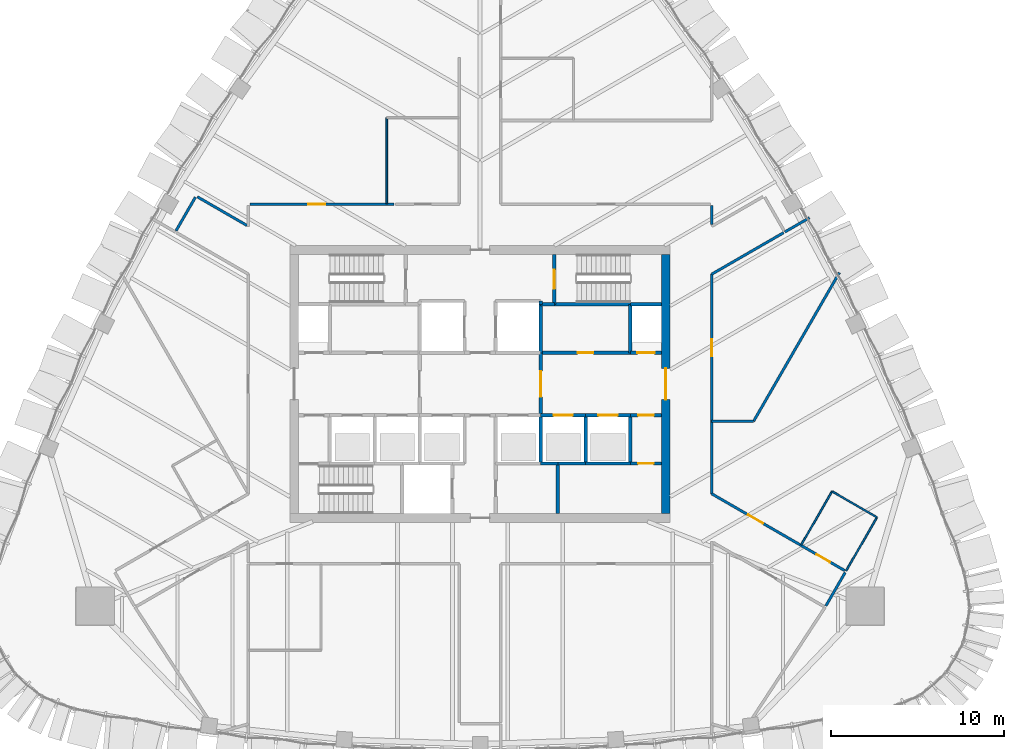
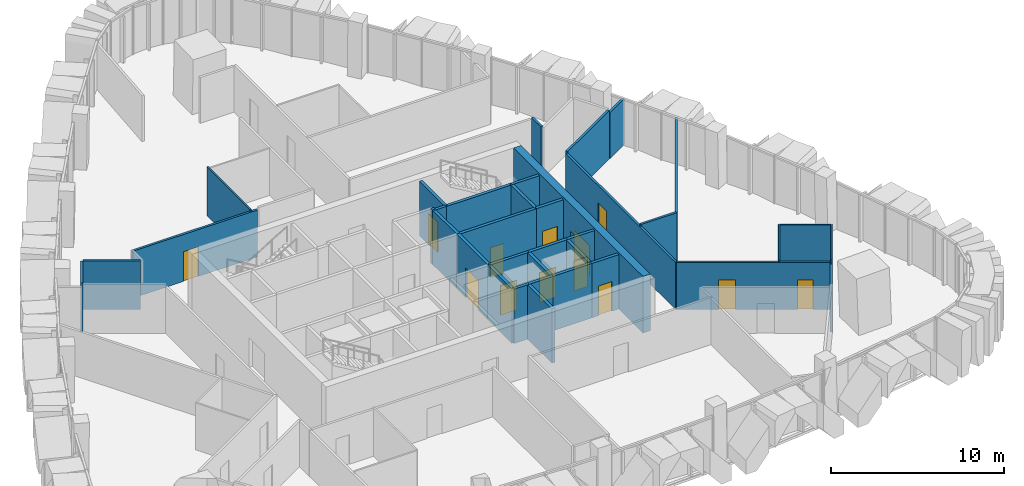
# One storey, part 14 of 19: 37 walls, 13 doors, 13 openings.
"""IFC4 building model written with IfcOpenShell, lengths in metres."""

from ifc_helpers import new_model, si_unit, direction, frame, frame_2d, origin, place, context, subcontext, project, spatial, rectangle, extrude, material, layer, layer_set, type_object, element, fill, save


model = new_model("IFC4")

# Units and contexts
model_context = context("Model", 3, precision=1e-05, world=origin(), true_north=direction((0.0, 1.0)))
body_context = subcontext(model_context, "Body", "Model", "MODEL_VIEW")
ifc_project = project(units=[si_unit("LENGTHUNIT", "METRE"), si_unit("AREAUNIT", "SQUARE_METRE"), si_unit("VOLUMEUNIT", "CUBIC_METRE"), si_unit("PLANEANGLEUNIT", "RADIAN"), si_unit("MASSUNIT", "GRAM", prefix="KILO")], contexts=[model_context])

# Site, building, storey
site_placement = place(None, origin())
site = spatial("IfcSite", under=ifc_project, at=site_placement, CompositionType="ELEMENT")
building_placement = place(site_placement, origin())
building = spatial("IfcBuilding", under=site, at=building_placement, Name="Sierra Prisma Convention Tower", CompositionType="ELEMENT")
storey_placement = place(building_placement, frame((0.0, 0.0, 231.0)))
storey = spatial("IfcBuildingStorey", under=building, at=storey_placement, Name="L51", CompositionType="ELEMENT", Elevation=231.0)

# Walls
ifc_material_1 = material(Name="Gypsum board partition", Category="gypsum")
ifc_layer_1 = layer(ifc_material_1, 0.10009765625)
ifc_layer_set_1 = layer_set([ifc_layer_1], Name="Bathroom partition 100")
wall_type_1 = type_object("IfcWallType", Name="Bathroom partition 100", PredefinedType="PARTITIONING", material=ifc_layer_set_1)
wall_1_placement = place(storey_placement, frame((-5.39990234375, 10.429931640625, 0.0), z_axis=(0.0, 0.0, 1.0), x_axis=(0.0, 1.0, 0.0)))
element("IfcWall", 1, at=wall_1_placement, inside=storey, type_object=wall_type_1, Name="Partition L51 bath 5", PredefinedType="PARTITIONING", context=body_context, shape_type="SweptSolid", body=[
    extrude(rectangle(XDim=4.969970703125, YDim=0.10009765625, at=frame_2d((2.48486328125, 0.0))), origin(), (0.0, 0.0, 1.0), 3.449951171875),
])
wall_2_placement = place(storey_placement, frame((18.577392578125, -9.305419921875, 0.0), z_axis=(0.0, 0.0, 1.0), x_axis=(0.499971082179, 0.866042098853, 0.0)))
element("IfcWall", 2, at=wall_2_placement, inside=storey, type_object=wall_type_1, Name="Partition L51 bath 9", PredefinedType="PARTITIONING", context=body_context, shape_type="SweptSolid", body=[
    extrude(rectangle(XDim=3.570068359375, YDim=0.10009765625, at=frame_2d((1.78515625, 0.0))), origin(), (0.0, 0.0, 1.0), 3.449951171875),
])
wall_3_placement = place(storey_placement, frame((20.3623046875, -6.213623046875, 0.0), z_axis=(0.0, 0.0, 1.0), x_axis=(0.866031096941, -0.499990139034, 0.0)))
element("IfcWall", 3, at=wall_3_placement, inside=storey, type_object=wall_type_1, Name="Partition L51 bath 10", PredefinedType="PARTITIONING", context=body_context, shape_type="SweptSolid", body=[
    extrude(rectangle(XDim=3.0, YDim=0.10009765625, at=frame_2d((1.5, 0.0))), origin(), (0.0, 0.0, 1.0), 3.443115234375),
])
wall_4_placement = place(storey_placement, frame((22.96044921875, -7.713623046875, 0.0), z_axis=(0.0, 0.0, 1.0), x_axis=(-0.500022371132, -0.86601248742, 0.0)))
element("IfcWall", 4, at=wall_4_placement, inside=storey, type_object=wall_type_1, Name="Partition L51 bath 11", PredefinedType="PARTITIONING", context=body_context, shape_type="SweptSolid", body=[
    extrude(rectangle(XDim=3.570068359375, YDim=0.10009765625, at=frame_2d((1.78515625, 0.0))), origin(), (0.0, 0.0, 1.0), 3.449951171875),
])
ifc_material_2 = material(Name="Concrete C30/37", Category="concrete")
ifc_layer_2 = layer(ifc_material_2, 0.199951171875)
ifc_layer_set_2 = layer_set([ifc_layer_2], Name="Core wall RC 200 C30/37")
wall_type_2 = type_object("IfcWallType", Name="Core wall RC 200 C30/37", PredefinedType="SOLIDWALL", material=ifc_layer_set_2)
wall_5_placement = place(storey_placement, frame((3.5, 4.60009765625, 0.0), z_axis=(0.0, 0.0, 1.0), x_axis=(0.0, 1.0, 0.0)))
element("IfcWall", 5, at=wall_5_placement, inside=storey, type_object=wall_type_2, Name="Core wall L51 37", PredefinedType="SOLIDWALL", context=body_context, shape_type="SweptSolid", body=[
    extrude(rectangle(XDim=0.199951171875, YDim=0.199951171875, at=frame_2d((0.10009765625, 0.0))), origin(), (0.0, 0.0, 1.0), 3.85009765625),
])
wall_6_placement = place(storey_placement, frame((4.5, -4.60009765625, 0.0), z_axis=(0.0, 0.0, 1.0), x_axis=(-1.0, 0.0, 0.0)))
element("IfcWall", 6, at=wall_6_placement, inside=storey, type_object=wall_type_2, Name="Core wall L51 40", PredefinedType="SOLIDWALL", context=body_context, shape_type="SweptSolid", body=[
    extrude(rectangle(XDim=1.0, YDim=0.199951171875, at=frame_2d((0.5, 0.0))), origin(), (0.0, 0.0, 1.0), 3.85009765625),
])
wall_7_placement = place(storey_placement, frame((3.5, -4.60009765625, 0.0), z_axis=(0.0, 0.0, 1.0), x_axis=(0.0, 1.0, 0.0)))
element("IfcWall", 7, at=wall_7_placement, inside=storey, type_object=wall_type_2, Name="Core wall L51 41", PredefinedType="SOLIDWALL", context=body_context, shape_type="SweptSolid", body=[
    extrude(rectangle(XDim=2.800048828125, YDim=0.199951171875, at=frame_2d((1.39990234375, 0.0))), origin(), (0.0, 0.0, 1.0), 3.85009765625),
])

# Wall, opening, door
wall_8_placement = place(storey_placement, frame((3.5, -1.800048828125, 0.0), z_axis=(0.0, 0.0, 1.0), x_axis=(1.0, 0.0, 0.0)))
wall_8 = element("IfcWall", 8, at=wall_8_placement, inside=storey, type_object=wall_type_2, Name="Core wall L51 42", PredefinedType="SOLIDWALL", context=body_context, shape_type="SweptSolid", body=[
    extrude(rectangle(XDim=2.60009765625, YDim=0.199951171875, at=frame_2d((1.300048828125, 0.0))), origin(), (0.0, 0.0, 1.0), 3.85009765625),
])
opening_1_placement = place(wall_8_placement, frame((0.75, 0.0, 0.0)))
opening_1 = element("IfcOpeningElement", 9, at=opening_1_placement, cuts=wall_8, Name="Opening L51-D005", PredefinedType="OPENING", context=body_context, shape_type="SweptSolid", body=[
    extrude(rectangle(XDim=1.10009765625, YDim=2.10009765625, at=frame_2d((0.550048828125, 1.050048828125))), frame((0.0, 0.10009765625, 0.0), z_axis=(0.0, -1.0, 0.0), x_axis=(1.0, 0.0, 0.0)), (0.0, 0.0, 1.0), 0.199951171875),
])
ifc_material_3 = material(Name="Steel fire door leaf", Category="steel")
door_type_1 = type_object("IfcDoorType", Name="Door 1100x2100 EI 90 sliding lift landing", OperationType="SLIDING_TO_LEFT", PredefinedType="DOOR", material=ifc_material_3)
door_1_placement = place(opening_1_placement, origin())
door_1 = element("IfcDoor", 10, at=door_1_placement, inside=storey, type_object=door_type_1, Name="Door L51 21", OperationType="SLIDING_TO_RIGHT", OverallHeight=2.10009765625, OverallWidth=1.10009765625, PredefinedType="DOOR", context=body_context, shape_type="SweptSolid", body=[
    extrude(rectangle(XDim=1.10009765625, YDim=2.10009765625, at=frame_2d((0.550048828125, 1.050048828125))), frame((0.0, 0.02490234375, 0.0), z_axis=(0.0, -1.0, 0.0), x_axis=(1.0, 0.0, 0.0)), (0.0, 0.0, 1.0), 0.050048828125),
])
fill(opening_1, door_1)

wall_9_placement = place(storey_placement, frame((3.5, -1.800048828125, 0.0), z_axis=(0.0, 0.0, 1.0), x_axis=(0.0, 1.0, 0.0)))
wall_9 = element("IfcWall", 11, at=wall_9_placement, inside=storey, type_object=wall_type_2, Name="Core wall L51 43", PredefinedType="SOLIDWALL", context=body_context, shape_type="SweptSolid", body=[
    extrude(rectangle(XDim=3.60009765625, YDim=0.199951171875, at=frame_2d((1.800048828125, 0.0))), origin(), (0.0, 0.0, 1.0), 3.85009765625),
])
opening_2_placement = place(wall_9_placement, frame((1.050048828125, 0.0, 0.0)))
opening_2 = element("IfcOpeningElement", 12, at=opening_2_placement, cuts=wall_9, Name="Opening L51-D011", PredefinedType="OPENING", context=body_context, shape_type="SweptSolid", body=[
    extrude(rectangle(XDim=1.5, YDim=2.10009765625, at=frame_2d((0.75, 1.050048828125))), frame((0.0, 0.10009765625, 0.0), z_axis=(0.0, -1.0, 0.0), x_axis=(1.0, 0.0, 0.0)), (0.0, 0.0, 1.0), 0.199951171875),
])
ifc_material_4 = material(Name="Steel fire door leaf", Category="steel")
door_type_2 = type_object("IfcDoorType", Name="Door 1500x2100 FD30S", OperationType="DOUBLE_DOOR_SINGLE_SWING", PredefinedType="DOOR", material=ifc_material_4)
door_2_placement = place(opening_2_placement, origin())
door_2 = element("IfcDoor", 13, at=door_2_placement, inside=storey, type_object=door_type_2, Name="Door L51 27", OperationType="DOUBLE_DOOR_SINGLE_SWING", OverallHeight=2.10009765625, OverallWidth=1.5, PredefinedType="DOOR", context=body_context, shape_type="SweptSolid", body=[
    extrude(rectangle(XDim=1.5, YDim=2.10009765625, at=frame_2d((0.75, 1.050048828125))), frame((0.0, 0.02490234375, 0.0), z_axis=(0.0, -1.0, 0.0), x_axis=(1.0, 0.0, 0.0)), (0.0, 0.0, 1.0), 0.050048828125),
])
fill(opening_2, door_2)

wall_10_placement = place(storey_placement, frame((3.5, 1.800048828125, 0.0), z_axis=(0.0, 0.0, 1.0), x_axis=(1.0, 0.0, 0.0)))
wall_10 = element("IfcWall", 14, at=wall_10_placement, inside=storey, type_object=wall_type_2, Name="Core wall L51 44", PredefinedType="SOLIDWALL", context=body_context, shape_type="SweptSolid", body=[
    extrude(rectangle(XDim=5.199951171875, YDim=0.199951171875, at=frame_2d((2.60009765625, 0.0))), origin(), (0.0, 0.0, 1.0), 3.85009765625),
])
opening_3_placement = place(wall_10_placement, frame((2.14990234375, 0.0, 0.0)))
opening_3 = element("IfcOpeningElement", 15, at=opening_3_placement, cuts=wall_10, Name="Opening L51-D020", PredefinedType="OPENING", context=body_context, shape_type="SweptSolid", body=[
    extrude(rectangle(XDim=0.89990234375, YDim=2.10009765625, at=frame_2d((0.449951171875, 1.050048828125))), frame((0.0, 0.10009765625, 0.0), z_axis=(0.0, -1.0, 0.0), x_axis=(1.0, 0.0, 0.0)), (0.0, 0.0, 1.0), 0.199951171875),
])
ifc_material_5 = material(Name="Steel fire door leaf", Category="steel")
door_type_3 = type_object("IfcDoorType", Name="Door 900x2100 FD30S", OperationType="SINGLE_SWING_LEFT", PredefinedType="DOOR", material=ifc_material_5)
door_3_placement = place(opening_3_placement, origin())
door_3 = element("IfcDoor", 16, at=door_3_placement, inside=storey, type_object=door_type_3, Name="Door L51 36", OperationType="SINGLE_SWING_RIGHT", OverallHeight=2.10009765625, OverallWidth=0.89990234375, PredefinedType="DOOR", context=body_context, shape_type="SweptSolid", body=[
    extrude(rectangle(XDim=0.89990234375, YDim=2.10009765625, at=frame_2d((0.449951171875, 1.050048828125))), frame((0.0, 0.02490234375, 0.0), z_axis=(0.0, -1.0, 0.0), x_axis=(1.0, 0.0, 0.0)), (0.0, 0.0, 1.0), 0.050048828125),
])
fill(opening_3, door_3)

# Walls
wall_11_placement = place(storey_placement, frame((3.5, 4.60009765625, 0.0), z_axis=(0.0, 0.0, 1.0), x_axis=(0.0, -1.0, 0.0)))
element("IfcWall", 17, at=wall_11_placement, inside=storey, type_object=wall_type_2, Name="Core wall L51 45", PredefinedType="SOLIDWALL", context=body_context, shape_type="SweptSolid", body=[
    extrude(rectangle(XDim=2.800048828125, YDim=0.199951171875, at=frame_2d((1.39990234375, 0.0))), origin(), (0.0, 0.0, 1.0), 3.85009765625),
])
wall_12_placement = place(storey_placement, frame((4.300048828125, 4.60009765625, 0.0), z_axis=(0.0, 0.0, 1.0), x_axis=(-1.0, 0.0, 0.0)))
element("IfcWall", 18, at=wall_12_placement, inside=storey, type_object=wall_type_2, Name="Core wall L51 46", PredefinedType="SOLIDWALL", context=body_context, shape_type="SweptSolid", body=[
    extrude(rectangle(XDim=0.800048828125, YDim=0.199951171875, at=frame_2d((0.39990234375, 0.0))), origin(), (0.0, 0.0, 1.0), 3.85009765625),
])
wall_13_placement = place(storey_placement, frame((8.699951171875, 4.60009765625, 0.0), z_axis=(0.0, 0.0, 1.0), x_axis=(-1.0, 0.0, 0.0)))
element("IfcWall", 19, at=wall_13_placement, inside=storey, type_object=wall_type_2, Name="Core wall L51 47", PredefinedType="SOLIDWALL", context=body_context, shape_type="SweptSolid", body=[
    extrude(rectangle(XDim=4.39990234375, YDim=0.199951171875, at=frame_2d((2.199951171875, 0.0))), origin(), (0.0, 0.0, 1.0), 3.85009765625),
])

# Wall, opening, door
wall_14_placement = place(storey_placement, frame((4.300048828125, 7.5, 0.0), z_axis=(0.0, 0.0, 1.0), x_axis=(0.0, -1.0, 0.0)))
wall_14 = element("IfcWall", 20, at=wall_14_placement, inside=storey, type_object=wall_type_2, Name="Core wall L51 48", PredefinedType="SOLIDWALL", context=body_context, shape_type="SweptSolid", body=[
    extrude(rectangle(XDim=2.89990234375, YDim=0.199951171875, at=frame_2d((1.449951171875, 0.0))), origin(), (0.0, 0.0, 1.0), 3.85009765625),
])
opening_4_placement = place(wall_14_placement, frame((0.89990234375, 0.0, 0.0)))
opening_4 = element("IfcOpeningElement", 21, at=opening_4_placement, cuts=wall_14, Name="Opening L51-D019", PredefinedType="OPENING", context=body_context, shape_type="SweptSolid", body=[
    extrude(rectangle(XDim=1.10009765625, YDim=2.10009765625, at=frame_2d((0.550048828125, 1.050048828125))), frame((0.0, 0.10009765625, 0.0), z_axis=(0.0, -1.0, 0.0), x_axis=(1.0, 0.0, 0.0)), (0.0, 0.0, 1.0), 0.199951171875),
])
ifc_material_6 = material(Name="Steel fire door leaf", Category="steel")
door_type_4 = type_object("IfcDoorType", Name="Door 1100x2100 FD90S", OperationType="SINGLE_SWING_LEFT", PredefinedType="DOOR", material=ifc_material_6)
door_4_placement = place(opening_4_placement, origin())
door_4 = element("IfcDoor", 22, at=door_4_placement, inside=storey, type_object=door_type_4, Name="Door L51 35", OperationType="SINGLE_SWING_RIGHT", OverallHeight=2.10009765625, OverallWidth=1.10009765625, PredefinedType="DOOR", context=body_context, shape_type="SweptSolid", body=[
    extrude(rectangle(XDim=1.10009765625, YDim=2.10009765625, at=frame_2d((0.550048828125, 1.050048828125))), frame((0.0, 0.02490234375, 0.0), z_axis=(0.0, -1.0, 0.0), x_axis=(1.0, 0.0, 0.0)), (0.0, 0.0, 1.0), 0.050048828125),
])
fill(opening_4, door_4)

# Walls
wall_15_placement = place(storey_placement, frame((4.5, -4.60009765625, 0.0), z_axis=(0.0, 0.0, 1.0), x_axis=(0.0, -1.0, 0.0)))
element("IfcWall", 23, at=wall_15_placement, inside=storey, type_object=wall_type_2, Name="Core wall L51 49", PredefinedType="SOLIDWALL", context=body_context, shape_type="SweptSolid", body=[
    extrude(rectangle(XDim=2.89990234375, YDim=0.199951171875, at=frame_2d((1.449951171875, 0.0))), origin(), (0.0, 0.0, 1.0), 3.85009765625),
])
wall_16_placement = place(storey_placement, frame((6.10009765625, -4.60009765625, 0.0), z_axis=(0.0, 0.0, 1.0), x_axis=(-1.0, 0.0, 0.0)))
element("IfcWall", 24, at=wall_16_placement, inside=storey, type_object=wall_type_2, Name="Core wall L51 50", PredefinedType="SOLIDWALL", context=body_context, shape_type="SweptSolid", body=[
    extrude(rectangle(XDim=1.60009765625, YDim=0.199951171875, at=frame_2d((0.800048828125, 0.0))), origin(), (0.0, 0.0, 1.0), 3.85009765625),
])
wall_17_placement = place(storey_placement, frame((8.699951171875, -4.60009765625, 0.0), z_axis=(0.0, 0.0, 1.0), x_axis=(-1.0, 0.0, 0.0)))
element("IfcWall", 25, at=wall_17_placement, inside=storey, type_object=wall_type_2, Name="Core wall L51 51", PredefinedType="SOLIDWALL", context=body_context, shape_type="SweptSolid", body=[
    extrude(rectangle(XDim=2.599853515625, YDim=0.199951171875, at=frame_2d((1.2998046875, 0.0))), origin(), (0.0, 0.0, 1.0), 3.85009765625),
])
wall_18_placement = place(storey_placement, frame((6.10009765625, -4.60009765625, 0.0), z_axis=(0.0, 0.0, 1.0), x_axis=(0.0, 1.0, 0.0)))
element("IfcWall", 26, at=wall_18_placement, inside=storey, type_object=wall_type_2, Name="Core wall L51 52", PredefinedType="SOLIDWALL", context=body_context, shape_type="SweptSolid", body=[
    extrude(rectangle(XDim=2.800048828125, YDim=0.199951171875, at=frame_2d((1.39990234375, 0.0))), origin(), (0.0, 0.0, 1.0), 3.85009765625),
])

# Wall, opening, door
wall_19_placement = place(storey_placement, frame((6.10009765625, -1.800048828125, 0.0), z_axis=(0.0, 0.0, 1.0), x_axis=(1.0, 0.0, 0.0)))
wall_19 = element("IfcWall", 27, at=wall_19_placement, inside=storey, type_object=wall_type_2, Name="Core wall L51 53", PredefinedType="SOLIDWALL", context=body_context, shape_type="SweptSolid", body=[
    extrude(rectangle(XDim=2.599853515625, YDim=0.199951171875, at=frame_2d((1.2998046875, 0.0))), origin(), (0.0, 0.0, 1.0), 3.85009765625),
])
opening_5_placement = place(wall_19_placement, frame((0.75, 0.0, 0.0)))
opening_5 = element("IfcOpeningElement", 28, at=opening_5_placement, cuts=wall_19, Name="Opening L51-D006", PredefinedType="OPENING", context=body_context, shape_type="SweptSolid", body=[
    extrude(rectangle(XDim=1.10009765625, YDim=2.10009765625, at=frame_2d((0.550048828125, 1.050048828125))), frame((0.0, 0.10009765625, 0.0), z_axis=(0.0, -1.0, 0.0), x_axis=(1.0, 0.0, 0.0)), (0.0, 0.0, 1.0), 0.199951171875),
])
door_5_placement = place(opening_5_placement, origin())
door_5 = element("IfcDoor", 29, at=door_5_placement, inside=storey, type_object=door_type_1, Name="Door L51 22", OperationType="SLIDING_TO_LEFT", OverallHeight=2.10009765625, OverallWidth=1.10009765625, PredefinedType="DOOR", context=body_context, shape_type="SweptSolid", body=[
    extrude(rectangle(XDim=1.10009765625, YDim=2.10009765625, at=frame_2d((0.550048828125, 1.050048828125))), frame((0.0, 0.02490234375, 0.0), z_axis=(0.0, -1.0, 0.0), x_axis=(1.0, 0.0, 0.0)), (0.0, 0.0, 1.0), 0.050048828125),
])
fill(opening_5, door_5)

wall_20_placement = place(storey_placement, frame((10.5, -4.60009765625, 0.0), z_axis=(0.0, 0.0, 1.0), x_axis=(-1.0, 0.0, 0.0)))
wall_20 = element("IfcWall", 30, at=wall_20_placement, inside=storey, type_object=wall_type_2, Name="Core wall L51 54", PredefinedType="SOLIDWALL", context=body_context, shape_type="SweptSolid", body=[
    extrude(rectangle(XDim=1.800048828125, YDim=0.199951171875, at=frame_2d((0.89990234375, 0.0))), origin(), (0.0, 0.0, 1.0), 3.85009765625),
])
opening_6_placement = place(wall_20_placement, frame((0.4599609375, 0.0, 0.0)))
opening_6 = element("IfcOpeningElement", 31, at=opening_6_placement, cuts=wall_20, Name="Opening L51-D022", PredefinedType="OPENING", context=body_context, shape_type="SweptSolid", body=[
    extrude(rectangle(XDim=0.89990234375, YDim=2.10009765625, at=frame_2d((0.449951171875, 1.050048828125))), frame((0.0, 0.10009765625, 0.0), z_axis=(0.0, -1.0, 0.0), x_axis=(1.0, 0.0, 0.0)), (0.0, 0.0, 1.0), 0.199951171875),
])
door_6_placement = place(opening_6_placement, origin())
door_6 = element("IfcDoor", 32, at=door_6_placement, inside=storey, type_object=door_type_3, Name="Door L51 38", OperationType="SINGLE_SWING_LEFT", OverallHeight=2.10009765625, OverallWidth=0.89990234375, PredefinedType="DOOR", context=body_context, shape_type="SweptSolid", body=[
    extrude(rectangle(XDim=0.89990234375, YDim=2.10009765625, at=frame_2d((0.449951171875, 1.050048828125))), frame((0.0, 0.02490234375, 0.0), z_axis=(0.0, -1.0, 0.0), x_axis=(1.0, 0.0, 0.0)), (0.0, 0.0, 1.0), 0.050048828125),
])
fill(opening_6, door_6)

# Wall
wall_21_placement = place(storey_placement, frame((8.699951171875, -1.800048828125, 0.0), z_axis=(0.0, 0.0, 1.0), x_axis=(0.0, -1.0, 0.0)))
element("IfcWall", 33, at=wall_21_placement, inside=storey, type_object=wall_type_2, Name="Core wall L51 55", PredefinedType="SOLIDWALL", context=body_context, shape_type="SweptSolid", body=[
    extrude(rectangle(XDim=2.800048828125, YDim=0.199951171875, at=frame_2d((1.39990234375, 0.0))), origin(), (0.0, 0.0, 1.0), 3.85009765625),
])

# Wall, opening, door
wall_22_placement = place(storey_placement, frame((8.699951171875, -1.800048828125, 0.0), z_axis=(0.0, 0.0, 1.0), x_axis=(1.0, 0.0, 0.0)))
wall_22 = element("IfcWall", 34, at=wall_22_placement, inside=storey, type_object=wall_type_2, Name="Core wall L51 56", PredefinedType="SOLIDWALL", context=body_context, shape_type="SweptSolid", body=[
    extrude(rectangle(XDim=1.800048828125, YDim=0.199951171875, at=frame_2d((0.89990234375, 0.0))), origin(), (0.0, 0.0, 1.0), 3.85009765625),
])
opening_7_placement = place(wall_22_placement, frame((0.449951171875, 0.0, 0.0)))
opening_7 = element("IfcOpeningElement", 35, at=opening_7_placement, cuts=wall_22, Name="Opening L51-D023", PredefinedType="OPENING", context=body_context, shape_type="SweptSolid", body=[
    extrude(rectangle(XDim=0.89990234375, YDim=2.10009765625, at=frame_2d((0.449951171875, 1.050048828125))), frame((0.0, 0.10009765625, 0.0), z_axis=(0.0, -1.0, 0.0), x_axis=(1.0, 0.0, 0.0)), (0.0, 0.0, 1.0), 0.199951171875),
])
door_7_placement = place(opening_7_placement, origin())
door_7 = element("IfcDoor", 36, at=door_7_placement, inside=storey, type_object=door_type_3, Name="Door L51 39", OperationType="SINGLE_SWING_LEFT", OverallHeight=2.10009765625, OverallWidth=0.89990234375, PredefinedType="DOOR", context=body_context, shape_type="SweptSolid", body=[
    extrude(rectangle(XDim=0.89990234375, YDim=2.10009765625, at=frame_2d((0.449951171875, 1.050048828125))), frame((0.0, 0.02490234375, 0.0), z_axis=(0.0, -1.0, 0.0), x_axis=(1.0, 0.0, 0.0)), (0.0, 0.0, 1.0), 0.050048828125),
])
fill(opening_7, door_7)

wall_23_placement = place(storey_placement, frame((10.5, 1.800048828125, 0.0), z_axis=(0.0, 0.0, 1.0), x_axis=(-1.0, 0.0, 0.0)))
wall_23 = element("IfcWall", 37, at=wall_23_placement, inside=storey, type_object=wall_type_2, Name="Core wall L51 57", PredefinedType="SOLIDWALL", context=body_context, shape_type="SweptSolid", body=[
    extrude(rectangle(XDim=1.800048828125, YDim=0.199951171875, at=frame_2d((0.89990234375, 0.0))), origin(), (0.0, 0.0, 1.0), 3.85009765625),
])
opening_8_placement = place(wall_23_placement, frame((0.39990234375, 0.0, 0.0)))
opening_8 = element("IfcOpeningElement", 38, at=opening_8_placement, cuts=wall_23, Name="Opening L51-D016", PredefinedType="OPENING", context=body_context, shape_type="SweptSolid", body=[
    extrude(rectangle(XDim=1.0, YDim=2.10009765625, at=frame_2d((0.5, 1.050048828125))), frame((0.0, 0.10009765625, 0.0), z_axis=(0.0, -1.0, 0.0), x_axis=(1.0, 0.0, 0.0)), (0.0, 0.0, 1.0), 0.199951171875),
])
ifc_material_7 = material(Name="Steel fire door leaf", Category="steel")
door_type_5 = type_object("IfcDoorType", Name="Door 1000x2100 FD60S", OperationType="SINGLE_SWING_LEFT", PredefinedType="DOOR", material=ifc_material_7)
door_8_placement = place(opening_8_placement, origin())
door_8 = element("IfcDoor", 39, at=door_8_placement, inside=storey, type_object=door_type_5, Name="Door L51 32", OperationType="SINGLE_SWING_LEFT", OverallHeight=2.10009765625, OverallWidth=1.0, PredefinedType="DOOR", context=body_context, shape_type="SweptSolid", body=[
    extrude(rectangle(XDim=1.0, YDim=2.10009765625, at=frame_2d((0.5, 1.050048828125))), frame((0.0, 0.02490234375, 0.0), z_axis=(0.0, -1.0, 0.0), x_axis=(1.0, 0.0, 0.0)), (0.0, 0.0, 1.0), 0.050048828125),
])
fill(opening_8, door_8)

# Walls
wall_24_placement = place(storey_placement, frame((8.699951171875, 1.800048828125, 0.0), z_axis=(0.0, 0.0, 1.0), x_axis=(0.0, 1.0, 0.0)))
element("IfcWall", 40, at=wall_24_placement, inside=storey, type_object=wall_type_2, Name="Core wall L51 58", PredefinedType="SOLIDWALL", context=body_context, shape_type="SweptSolid", body=[
    extrude(rectangle(XDim=2.800048828125, YDim=0.199951171875, at=frame_2d((1.39990234375, 0.0))), origin(), (0.0, 0.0, 1.0), 3.85009765625),
])
wall_25_placement = place(storey_placement, frame((10.5, 4.60009765625, 0.0), z_axis=(0.0, 0.0, 1.0), x_axis=(-1.0, 0.0, 0.0)))
element("IfcWall", 41, at=wall_25_placement, inside=storey, type_object=wall_type_2, Name="Core wall L51 59", PredefinedType="SOLIDWALL", context=body_context, shape_type="SweptSolid", body=[
    extrude(rectangle(XDim=1.800048828125, YDim=0.199951171875, at=frame_2d((0.89990234375, 0.0))), origin(), (0.0, 0.0, 1.0), 3.85009765625),
])

# Wall, opening, door
ifc_material_8 = material(Name="Concrete C50/60", Category="concrete")
ifc_layer_3 = layer(ifc_material_8, 0.5)
ifc_layer_set_3 = layer_set([ifc_layer_3], Name="Core wall RC 500 C50/60")
wall_type_3 = type_object("IfcWallType", Name="Core wall RC 500 C50/60", PredefinedType="SHEAR", material=ifc_layer_set_3)
wall_26_placement = place(storey_placement, frame((10.75, -7.5, 0.0), z_axis=(0.0, 0.0, 1.0), x_axis=(0.0, 1.0, 0.0)))
wall_26 = element("IfcWall", 42, at=wall_26_placement, inside=storey, type_object=wall_type_3, Name="Core wall E L51", PredefinedType="SHEAR", context=body_context, shape_type="SweptSolid", body=[
    extrude(rectangle(XDim=15.0, YDim=0.5, at=frame_2d((7.5, 0.0))), origin(), (0.0, 0.0, 1.0), 4.0),
])
opening_9_placement = place(wall_26_placement, frame((6.60009765625, 0.0, 0.0)))
opening_9 = element("IfcOpeningElement", 43, at=opening_9_placement, cuts=wall_26, Name="Opening L51-D041", PredefinedType="OPENING", context=body_context, shape_type="SweptSolid", body=[
    extrude(rectangle(XDim=1.800048828125, YDim=2.10009765625, at=frame_2d((0.89990234375, 1.050048828125))), frame((0.0, 0.25, 0.0), z_axis=(0.0, -1.0, 0.0), x_axis=(1.0, 0.0, 0.0)), (0.0, 0.0, 1.0), 0.5),
])
ifc_material_9 = material(Name="Steel fire door leaf", Category="steel")
door_type_6 = type_object("IfcDoorType", Name="Door 1800x2100 FD60S", OperationType="DOUBLE_DOOR_SINGLE_SWING", PredefinedType="DOOR", material=ifc_material_9)
door_9_placement = place(opening_9_placement, origin())
door_9 = element("IfcDoor", 44, at=door_9_placement, inside=storey, type_object=door_type_6, Name="Door L51 42", OperationType="DOUBLE_DOOR_SINGLE_SWING", OverallHeight=2.10009765625, OverallWidth=1.800048828125, PredefinedType="DOOR", context=body_context, shape_type="SweptSolid", body=[
    extrude(rectangle(XDim=1.800048828125, YDim=2.10009765625, at=frame_2d((0.89990234375, 1.050048828125))), frame((0.0, 0.02490234375, 0.0), z_axis=(0.0, -1.0, 0.0), x_axis=(1.0, 0.0, 0.0)), (0.0, 0.0, 1.0), 0.050048828125),
])
fill(opening_9, door_9)

# Walls
ifc_material_10 = material(Name="Gypsum board partition", Category="gypsum")
ifc_layer_4 = layer(ifc_material_10, 0.14990234375)
ifc_layer_set_4 = layer_set([ifc_layer_4], Name="Corridor wall 150 gypsum EI 60")
wall_type_4 = type_object("IfcWallType", Name="Corridor wall 150 gypsum EI 60", PredefinedType="PARTITIONING", material=ifc_layer_set_4)
wall_27_placement = place(storey_placement, frame((-16.468505859375, 10.801513671875, 0.0), z_axis=(0.0, 0.0, 1.0), x_axis=(-0.49994888933, -0.866054910533, 0.0)))
element("IfcWall", 45, at=wall_27_placement, inside=storey, type_object=wall_type_4, Name="Partition L51 corr 5", PredefinedType="PARTITIONING", context=body_context, shape_type="SweptSolid", body=[
    extrude(rectangle(XDim=2.239990234375, YDim=0.14990234375, at=frame_2d((1.1201171875, 0.0))), origin(), (0.0, 0.0, 1.0), 3.449951171875),
])
wall_28_placement = place(storey_placement, frame((-13.479248046875, 9.16796875, 0.0), z_axis=(0.0, 0.0, 1.0), x_axis=(-0.866025439566, 0.499999938025, 0.0)))
element("IfcWall", 46, at=wall_28_placement, inside=storey, type_object=wall_type_4, Name="Partition L51 corr 9", PredefinedType="PARTITIONING", context=body_context, shape_type="SweptSolid", body=[
    extrude(rectangle(XDim=3.32568359375, YDim=0.14990234375, at=frame_2d((1.662841796875, 0.0))), origin(), (0.0, 0.0, 1.0), 3.449951171875),
])

# Wall, opening, door
wall_29_placement = place(storey_placement, frame((-4.97998046875, 10.39990234375, 0.0), z_axis=(0.0, 0.0, 1.0), x_axis=(-1.0, 0.0, 0.0)))
wall_29 = element("IfcWall", 47, at=wall_29_placement, inside=storey, type_object=wall_type_4, Name="Partition L51 corr 12", PredefinedType="PARTITIONING", context=body_context, shape_type="SweptSolid", body=[
    extrude(rectangle(XDim=8.340087890625, YDim=0.14990234375, at=frame_2d((4.169921875, 0.0))), origin(), (0.0, 0.0, 1.0), 3.31689453125),
])
opening_10_placement = place(wall_29_placement, frame((3.969970703125, 0.0, 0.0)))
opening_10 = element("IfcOpeningElement", 48, at=opening_10_placement, cuts=wall_29, Name="Opening L51-D030", PredefinedType="OPENING", context=body_context, shape_type="SweptSolid", body=[
    extrude(rectangle(XDim=1.0, YDim=2.10009765625, at=frame_2d((0.5, 1.050048828125))), frame((0.0, 0.074951171875, 0.0), z_axis=(0.0, -1.0, 0.0), x_axis=(1.0, 0.0, 0.0)), (0.0, 0.0, 1.0), 0.14990234375),
])
ifc_material_11 = material(Name="Steel fire door leaf", Category="steel")
door_type_7 = type_object("IfcDoorType", Name="Door 1000x2100 FD30S", OperationType="SINGLE_SWING_LEFT", PredefinedType="DOOR", material=ifc_material_11)
door_10_placement = place(opening_10_placement, origin())
door_10 = element("IfcDoor", 49, at=door_10_placement, inside=storey, type_object=door_type_7, Name="Door L51 6", OperationType="SINGLE_SWING_RIGHT", OverallHeight=2.10009765625, OverallWidth=1.0, PredefinedType="DOOR", context=body_context, shape_type="SweptSolid", body=[
    extrude(rectangle(XDim=1.0, YDim=2.10009765625, at=frame_2d((0.5, 1.050048828125))), frame((0.0, 0.02490234375, 0.0), z_axis=(0.0, -1.0, 0.0), x_axis=(1.0, 0.0, 0.0)), (0.0, 0.0, 1.0), 0.050048828125),
])
fill(opening_10, door_10)

# Wall
wall_30_placement = place(storey_placement, frame((13.39990234375, 9.213623046875, 0.0), z_axis=(0.0, 0.0, 1.0), x_axis=(0.0, 1.0, 0.0)))
element("IfcWall", 50, at=wall_30_placement, inside=storey, type_object=wall_type_4, Name="Partition L51 corr 24", PredefinedType="PARTITIONING", context=body_context, shape_type="SweptSolid", body=[
    extrude(rectangle(XDim=1.1064453125, YDim=0.14990234375, at=frame_2d((0.55322265625, 0.0))), origin(), (0.0, 0.0, 1.0), 3.449951171875),
])

# Wall, openings, doors
wall_31_placement = place(storey_placement, frame((21.091064453125, -10.791259765625, 0.0), z_axis=(0.0, 0.0, 1.0), x_axis=(-0.866028564552, 0.499994525349, 0.0)))
wall_31 = element("IfcWall", 51, at=wall_31_placement, inside=storey, type_object=wall_type_4, Name="Partition L51 corr 26", PredefinedType="PARTITIONING", context=body_context, shape_type="SweptSolid", body=[
    extrude(rectangle(XDim=8.880859375, YDim=0.14990234375, at=frame_2d((4.4404296875, 0.0))), origin(), (0.0, 0.0, 1.0), 3.31689453125),
])
opening_11_placement = place(wall_31_placement, frame((0.969970703125, 0.0, 0.0)))
opening_11 = element("IfcOpeningElement", 52, at=opening_11_placement, cuts=wall_31, Name="Opening L51-D039", PredefinedType="OPENING", context=body_context, shape_type="SweptSolid", body=[
    extrude(rectangle(XDim=0.89990234375, YDim=2.10009765625, at=frame_2d((0.449951171875, 1.050048828125))), frame((0.0, 0.074951171875, 0.0), z_axis=(0.0, -1.0, 0.0), x_axis=(1.0, 0.0, 0.0)), (0.0, 0.0, 1.0), 0.14990234375),
])
opening_12_placement = place(wall_31_placement, frame((5.450439453125, 0.0, 0.0)))
opening_12 = element("IfcOpeningElement", 53, at=opening_12_placement, cuts=wall_31, Name="Opening L51-D040", PredefinedType="OPENING", context=body_context, shape_type="SweptSolid", body=[
    extrude(rectangle(XDim=1.0, YDim=2.10009765625, at=frame_2d((0.5, 1.050048828125))), frame((0.0, 0.074951171875, 0.0), z_axis=(0.0, -1.0, 0.0), x_axis=(1.0, 0.0, 0.0)), (0.0, 0.0, 1.0), 0.14990234375),
])
door_11_placement = place(opening_12_placement, origin())
door_11 = element("IfcDoor", 54, at=door_11_placement, inside=storey, type_object=door_type_7, Name="Door L51 16", OperationType="SINGLE_SWING_LEFT", OverallHeight=2.10009765625, OverallWidth=1.0, PredefinedType="DOOR", context=body_context, shape_type="SweptSolid", body=[
    extrude(rectangle(XDim=1.0, YDim=2.10009765625, at=frame_2d((0.5, 1.050048828125))), frame((0.0, 0.02490234375, 0.0), z_axis=(0.0, -1.0, 0.0), x_axis=(1.0, 0.0, 0.0)), (0.0, 0.0, 1.0), 0.050048828125),
])
fill(opening_12, door_11)
door_12_placement = place(opening_11_placement, origin())
door_12 = element("IfcDoor", 55, at=door_12_placement, inside=storey, type_object=door_type_3, Name="Door L51 15", OperationType="SINGLE_SWING_LEFT", OverallHeight=2.10009765625, OverallWidth=0.89990234375, PredefinedType="DOOR", context=body_context, shape_type="SweptSolid", body=[
    extrude(rectangle(XDim=0.89990234375, YDim=2.10009765625, at=frame_2d((0.449951171875, 1.050048828125))), frame((0.0, 0.02490234375, 0.0), z_axis=(0.0, -1.0, 0.0), x_axis=(1.0, 0.0, 0.0)), (0.0, 0.0, 1.0), 0.050048828125),
])
fill(opening_11, door_12)

# Wall, opening, door
wall_32_placement = place(storey_placement, frame((13.39990234375, -6.350830078125, 0.0), z_axis=(0.0, 0.0, 1.0), x_axis=(0.0, 1.0, 0.0)))
wall_32 = element("IfcWall", 56, at=wall_32_placement, inside=storey, type_object=wall_type_4, Name="Partition L51 corr 27", PredefinedType="PARTITIONING", context=body_context, shape_type="SweptSolid", body=[
    extrude(rectangle(XDim=12.70166015625, YDim=0.14990234375, at=frame_2d((6.350830078125, 0.0))), origin(), (0.0, 0.0, 1.0), 3.31689453125),
])
opening_13_placement = place(wall_32_placement, frame((7.951904296875, 0.0, 0.0)))
opening_13 = element("IfcOpeningElement", 57, at=opening_13_placement, cuts=wall_32, Name="Opening L51-D025", PredefinedType="OPENING", context=body_context, shape_type="SweptSolid", body=[
    extrude(rectangle(XDim=1.0, YDim=2.10009765625, at=frame_2d((0.5, 1.050048828125))), frame((0.0, 0.074951171875, 0.0), z_axis=(0.0, -1.0, 0.0), x_axis=(1.0, 0.0, 0.0)), (0.0, 0.0, 1.0), 0.14990234375),
])
door_13_placement = place(opening_13_placement, origin())
door_13 = element("IfcDoor", 58, at=door_13_placement, inside=storey, type_object=door_type_7, Name="Door L51 1", OperationType="SINGLE_SWING_RIGHT", OverallHeight=2.10009765625, OverallWidth=1.0, PredefinedType="DOOR", context=body_context, shape_type="SweptSolid", body=[
    extrude(rectangle(XDim=1.0, YDim=2.10009765625, at=frame_2d((0.5, 1.050048828125))), frame((0.0, 0.02490234375, 0.0), z_axis=(0.0, -1.0, 0.0), x_axis=(1.0, 0.0, 0.0)), (0.0, 0.0, 1.0), 0.050048828125),
])
fill(opening_13, door_13)

# Walls
wall_33_placement = place(storey_placement, frame((13.39990234375, 6.350830078125, 0.0), z_axis=(0.0, 0.0, 1.0), x_axis=(0.866032371008, 0.49998793222, 0.0)))
element("IfcWall", 59, at=wall_33_placement, inside=storey, type_object=wall_type_4, Name="Partition L51 corr 28", PredefinedType="PARTITIONING", context=body_context, shape_type="SweptSolid", body=[
    extrude(rectangle(XDim=4.802734375, YDim=0.14990234375, at=frame_2d((2.4013671875, 0.0))), origin(), (0.0, 0.0, 1.0), 3.449951171875),
])
wall_34_placement = place(storey_placement, frame((20.00048828125, -12.840576171875, 0.0), z_axis=(0.0, 0.0, 1.0), x_axis=(0.49994888933, 0.866054910533, 0.0)))
element("IfcWall", 60, at=wall_34_placement, inside=storey, type_object=wall_type_4, Name="Partition L51 corr 29", PredefinedType="PARTITIONING", context=body_context, shape_type="SweptSolid", body=[
    extrude(rectangle(XDim=2.239990234375, YDim=0.14990234375, at=frame_2d((1.1201171875, 0.0))), origin(), (0.0, 0.0, 1.0), 3.23291015625),
])
ifc_material_12 = material(Name="Gypsum board partition", Category="gypsum")
ifc_layer_5 = layer(ifc_material_12, 0.14990234375)
ifc_layer_set_5 = layer_set([ifc_layer_5], Name="Party wall 150 gypsum")
wall_type_5 = type_object("IfcWallType", Name="Party wall 150 gypsum", PredefinedType="PARTITIONING", material=ifc_layer_set_5)
wall_35_placement = place(storey_placement, frame((13.39990234375, -2.149169921875, 0.0), z_axis=(0.0, 0.0, 1.0), x_axis=(1.0, 0.0, 0.0)))
element("IfcWall", 61, at=wall_35_placement, inside=storey, type_object=wall_type_5, Name="Partition L51 party 12", PredefinedType="PARTITIONING", context=body_context, shape_type="SweptSolid", body=[
    extrude(rectangle(XDim=2.426025390625, YDim=0.14990234375, at=frame_2d((1.212890625, 0.0))), origin(), (0.0, 0.0, 1.0), 3.449951171875),
])
wall_36_placement = place(storey_placement, frame((15.825927734375, -2.149169921875, 0.0), z_axis=(0.0, 0.0, 1.0), x_axis=(0.499994539417, 0.866028556431, 0.0)))
element("IfcWall", 62, at=wall_36_placement, inside=storey, type_object=wall_type_5, Name="Partition L51 party 13", PredefinedType="PARTITIONING", context=body_context, shape_type="SweptSolid", body=[
    extrude(rectangle(XDim=9.916015625, YDim=0.14990234375, at=frame_2d((4.9580078125, 0.0))), origin(), (0.0, 0.0, 1.0), 3.23388671875),
])
wall_37_placement = place(storey_placement, frame((19.057373046875, 9.6171875, 0.0), z_axis=(0.0, 0.0, 1.0), x_axis=(-0.866040211805, -0.499974350878, 0.0)))
element("IfcWall", 63, at=wall_37_placement, inside=storey, type_object=wall_type_5, Name="Partition L51 party 16", PredefinedType="PARTITIONING", context=body_context, shape_type="SweptSolid", body=[
    extrude(rectangle(XDim=1.64990234375, YDim=0.14990234375, at=frame_2d((0.824951171875, 0.0))), origin(), (0.0, 0.0, 1.0), 3.23388671875),
])

save(model, "model.ifc")
